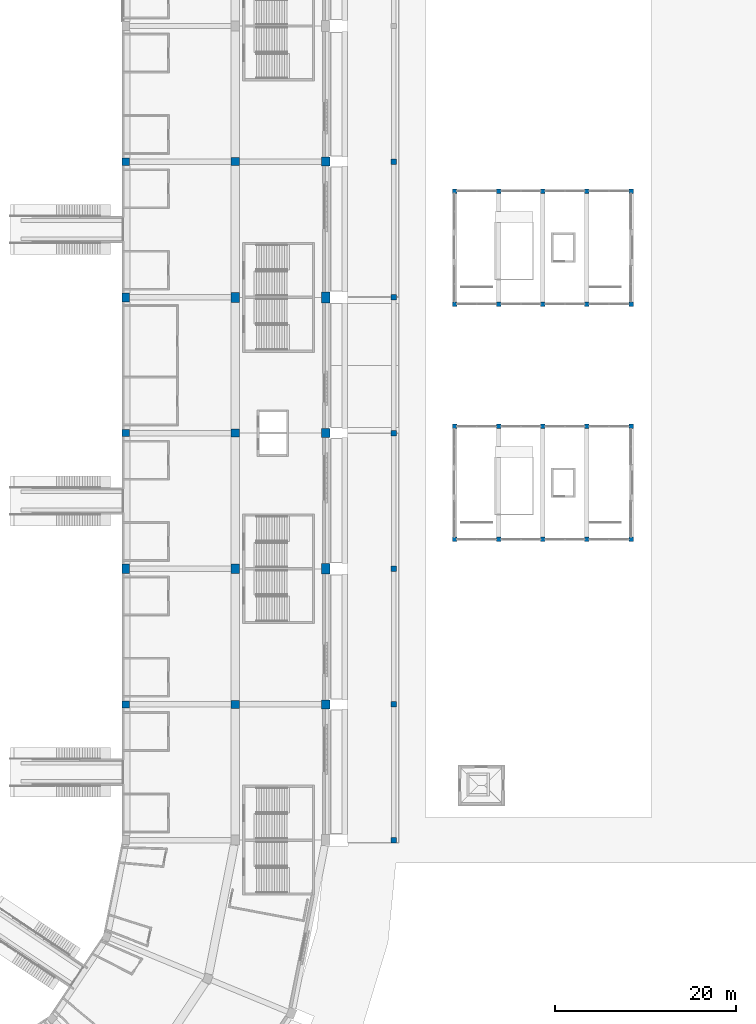
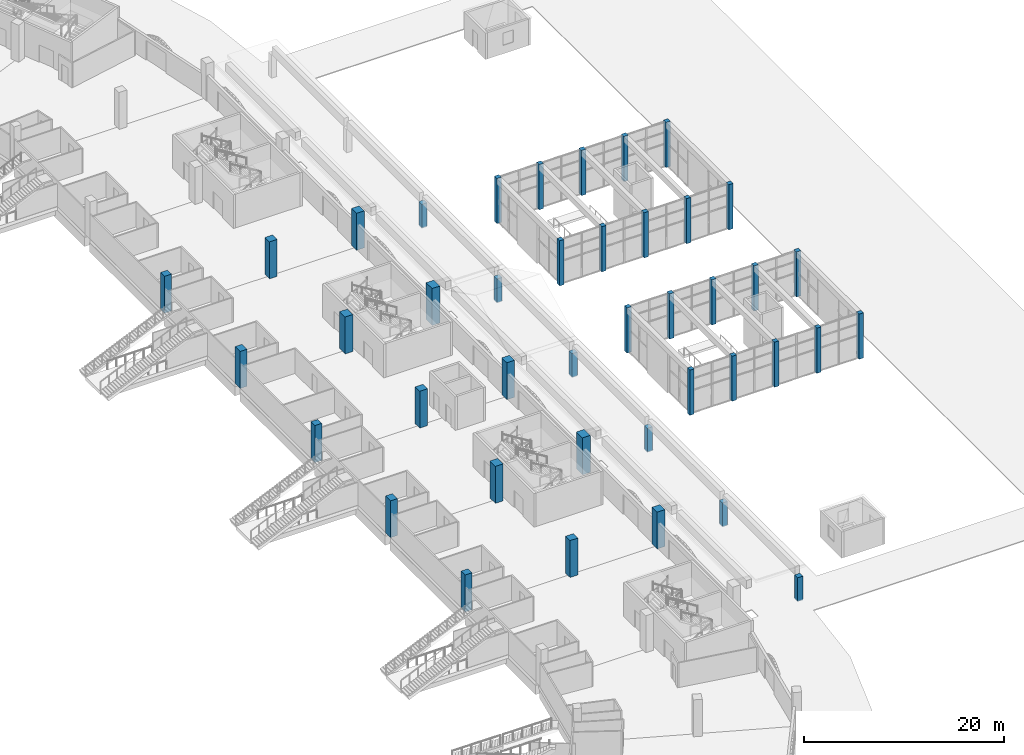
# One storey, part 2 of 175: 41 columns.
"""IFC4 building model written with IfcOpenShell, lengths in metres."""

from ifc_helpers import new_model, si_unit, direction, frame, origin, origin_2d, place, context, subcontext, project, spatial, rectangle, extrude, material, material_profile, profile_set, type_object, element, save


model = new_model("IFC4")

# Units and contexts
model_context = context("Model", 3, precision=1e-05, world=origin(), true_north=direction((0.0, 1.0)))
body_context = subcontext(model_context, "Body", "Model", "MODEL_VIEW")
ifc_project = project(units=[si_unit("LENGTHUNIT", "METRE"), si_unit("AREAUNIT", "SQUARE_METRE"), si_unit("VOLUMEUNIT", "CUBIC_METRE"), si_unit("PLANEANGLEUNIT", "RADIAN"), si_unit("MASSUNIT", "GRAM", prefix="KILO")], contexts=[model_context])

# Site, building, storey
site_placement = place(None, origin())
site = spatial("IfcSite", under=ifc_project, at=site_placement, CompositionType="ELEMENT")
building_placement = place(site_placement, origin())
building = spatial("IfcBuilding", under=site, at=building_placement, Name="Ogive Plaza Stadium", CompositionType="ELEMENT")
storey_placement = place(building_placement, origin())
storey = spatial("IfcBuildingStorey", under=building, at=storey_placement, Name="L00", CompositionType="ELEMENT", Elevation=0.0)

# Columns
ifc_material_1 = material(Name="Concrete C40/50", Category="concrete")
ifc_material_profile_1 = material_profile(ifc_material_1, rectangle(XDim=0.60009765625, YDim=0.60009765625, at=origin_2d()), Name="RC 600x600")
ifc_profile_set_1 = profile_set([ifc_material_profile_1], Name="Concrete C40/50")
column_type_1 = type_object("IfcColumnType", Name="Colonnade column RC 600x600", PredefinedType="COLUMN", material=ifc_profile_set_1)
for number, where, z_axis, x_axis, name in (
    (1, (91.5, 22.5, -0.1201171875), (0.0, 0.0, 1.0), (1.0, 0.0, 0.0), "Colonnade column R03"),
    (2, (91.5, 7.5, -0.1201171875), (0.0, 0.0, 1.0), (1.0, 0.0, 0.0), "Colonnade column R04"),
    (3, (91.5, -7.5, -0.1201171875), (0.0, 0.0, 1.0), (1.0, 0.0, 0.0), "Colonnade column R05"),
    (4, (91.5, -22.5, -0.1201171875), (0.0, 0.0, 1.0), (1.0, 0.0, 0.0), "Colonnade column R06"),
    (5, (91.5, -37.5, -0.1201171875), (0.0, 0.0, 1.0), (1.0, 0.0, 0.0), "Colonnade column R07"),
    (6, (91.5, -52.5, -0.1201171875), (0.0, 0.0, 1.0), (1.0, 0.0, 0.0), "Colonnade column R08"),
):
    element("IfcColumn", number, at=place(storey_placement, frame(where, z_axis=z_axis, x_axis=x_axis)), inside=storey, type_object=column_type_1, Name=name, PredefinedType="COLUMN", context=body_context, shape_type="SweptSolid", body=[
        extrude(rectangle(XDim=0.60009765625, YDim=0.60009765625, at=origin_2d()), origin(), (0.0, 0.0, 1.0), 2.920166015625),
    ])
ifc_material_2 = material(Name="Concrete C40/50", Category="concrete")
ifc_material_profile_2 = material_profile(ifc_material_2, rectangle(XDim=0.5, YDim=0.5, at=origin_2d()), Name="Headhouse column RC 500")
ifc_profile_set_2 = profile_set([ifc_material_profile_2], Name="Concrete C40/50")
column_type_2 = type_object("IfcColumnType", Name="Headhouse column RC 500", PredefinedType="COLUMN", material=ifc_profile_set_2)
for number, where, z_axis, x_axis, name in (
    (7, (98.25, -19.25, 0.0), (0.0, 0.0, 1.0), (1.0, 0.0, 0.0), "Headhouse 1 column 1S"),
    (8, (98.25, -6.75, 0.0), (0.0, 0.0, 1.0), (1.0, 0.0, 0.0), "Headhouse 1 column 1N"),
    (9, (103.125, -19.25, 0.0), (0.0, 0.0, 1.0), (1.0, 0.0, 0.0), "Headhouse 1 column 2S"),
    (10, (103.125, -6.75, 0.0), (0.0, 0.0, 1.0), (1.0, 0.0, 0.0), "Headhouse 1 column 2N"),
    (11, (108.0, -19.25, 0.0), (0.0, 0.0, 1.0), (1.0, 0.0, 0.0), "Headhouse 1 column 3S"),
    (12, (108.0, -6.75, 0.0), (0.0, 0.0, 1.0), (1.0, 0.0, 0.0), "Headhouse 1 column 3N"),
    (13, (112.875, -19.25, 0.0), (0.0, 0.0, 1.0), (1.0, 0.0, 0.0), "Headhouse 1 column 4S"),
    (14, (112.875, -6.75, 0.0), (0.0, 0.0, 1.0), (1.0, 0.0, 0.0), "Headhouse 1 column 4N"),
    (15, (117.75, -19.25, 0.0), (0.0, 0.0, 1.0), (1.0, 0.0, 0.0), "Headhouse 1 column 5S"),
    (16, (117.75, -6.75, 0.0), (0.0, 0.0, 1.0), (1.0, 0.0, 0.0), "Headhouse 1 column 5N"),
    (17, (98.25, 6.75, 0.0), (0.0, 0.0, 1.0), (1.0, 0.0, 0.0), "Headhouse 2 column 1S"),
    (18, (98.25, 19.25, 0.0), (0.0, 0.0, 1.0), (1.0, 0.0, 0.0), "Headhouse 2 column 1N"),
    (19, (103.125, 6.75, 0.0), (0.0, 0.0, 1.0), (1.0, 0.0, 0.0), "Headhouse 2 column 2S"),
    (20, (103.125, 19.25, 0.0), (0.0, 0.0, 1.0), (1.0, 0.0, 0.0), "Headhouse 2 column 2N"),
    (21, (108.0, 6.75, 0.0), (0.0, 0.0, 1.0), (1.0, 0.0, 0.0), "Headhouse 2 column 3S"),
    (22, (108.0, 19.25, 0.0), (0.0, 0.0, 1.0), (1.0, 0.0, 0.0), "Headhouse 2 column 3N"),
    (23, (112.875, 6.75, 0.0), (0.0, 0.0, 1.0), (1.0, 0.0, 0.0), "Headhouse 2 column 4S"),
    (24, (112.875, 19.25, 0.0), (0.0, 0.0, 1.0), (1.0, 0.0, 0.0), "Headhouse 2 column 4N"),
    (25, (117.75, 6.75, 0.0), (0.0, 0.0, 1.0), (1.0, 0.0, 0.0), "Headhouse 2 column 5S"),
    (26, (117.75, 19.25, 0.0), (0.0, 0.0, 1.0), (1.0, 0.0, 0.0), "Headhouse 2 column 5N"),
):
    element("IfcColumn", number, at=place(storey_placement, frame(where, z_axis=z_axis, x_axis=x_axis)), inside=storey, type_object=column_type_2, Name=name, PredefinedType="COLUMN", context=body_context, shape_type="SweptSolid", body=[
        extrude(rectangle(XDim=0.5, YDim=0.5, at=origin_2d()), origin(), (0.0, 0.0, 1.0), 5.5),
    ])
ifc_material_3 = material(Name="Concrete C40/50", Category="concrete")
ifc_material_profile_3 = material_profile(ifc_material_3, rectangle(XDim=1.0, YDim=0.800048828125, at=origin_2d()), Name="RC 1000x800")
ifc_profile_set_3 = profile_set([ifc_material_profile_3], Name="Concrete C40/50")
column_type_3 = type_object("IfcColumnType", Name="RC column F3 core 1000x800", PredefinedType="COLUMN", material=ifc_profile_set_3)
for number, where, z_axis, x_axis, name in (
    (27, (61.89990234375, 7.5, 0.0), (0.0, 0.0, 1.0), (0.0, 1.0, 0.0), "Column F3 R04 L00"),
    (28, (61.89990234375, -22.5, 0.0), (0.0, 0.0, 1.0), (0.0, 1.0, 0.0), "Column F3 R06 L00"),
):
    element("IfcColumn", number, at=place(storey_placement, frame(where, z_axis=z_axis, x_axis=x_axis)), inside=storey, type_object=column_type_3, Name=name, PredefinedType="COLUMN", context=body_context, shape_type="SweptSolid", body=[
        extrude(rectangle(XDim=1.0, YDim=0.800048828125, at=origin_2d()), origin(), (0.0, 0.0, 1.0), 4.5),
    ])
ifc_material_4 = material(Name="Concrete C40/50", Category="concrete")
ifc_material_profile_4 = material_profile(ifc_material_4, rectangle(XDim=0.800048828125, YDim=0.800048828125, at=origin_2d()), Name="RC 800x800")
ifc_profile_set_4 = profile_set([ifc_material_profile_4], Name="Concrete C40/50")
column_type_4 = type_object("IfcColumnType", Name="RC column F3 typical 800x800", PredefinedType="COLUMN", material=ifc_profile_set_4)
for number, where, z_axis, x_axis, name in (
    (29, (61.89990234375, 22.5, 0.0), (0.0, 0.0, 1.0), (0.0, 1.0, 0.0), "Column F3 R03 L00"),
    (30, (61.89990234375, -7.5, 0.0), (0.0, 0.0, 1.0), (0.0, 1.0, 0.0), "Column F3 R05 L00"),
    (31, (61.89990234375, -37.5, 0.0), (0.0, 0.0, 1.0), (0.0, 1.0, 0.0), "Column F3 R07 L00"),
):
    element("IfcColumn", number, at=place(storey_placement, frame(where, z_axis=z_axis, x_axis=x_axis)), inside=storey, type_object=column_type_4, Name=name, PredefinedType="COLUMN", context=body_context, shape_type="SweptSolid", body=[
        extrude(rectangle(XDim=0.800048828125, YDim=0.800048828125, at=origin_2d()), origin(), (0.0, 0.0, 1.0), 4.5),
    ])
ifc_material_5 = material(Name="Concrete C40/50", Category="concrete")
ifc_material_profile_5 = material_profile(ifc_material_5, rectangle(XDim=1.10009765625, YDim=0.89990234375, at=origin_2d()), Name="RC 1100x900")
ifc_profile_set_5 = profile_set([ifc_material_profile_5], Name="Concrete C40/50")
column_type_5 = type_object("IfcColumnType", Name="RC column F4 core 1100x900", PredefinedType="COLUMN", material=ifc_profile_set_5)
for number, where, z_axis, x_axis, name in (
    (32, (74.0, 7.5, 0.0), (0.0, 0.0, 1.0), (0.0, 1.0, 0.0), "Column F4 R04 L00"),
    (33, (74.0, -22.5, 0.0), (0.0, 0.0, 1.0), (0.0, 1.0, 0.0), "Column F4 R06 L00"),
):
    element("IfcColumn", number, at=place(storey_placement, frame(where, z_axis=z_axis, x_axis=x_axis)), inside=storey, type_object=column_type_5, Name=name, PredefinedType="COLUMN", context=body_context, shape_type="SweptSolid", body=[
        extrude(rectangle(XDim=1.10009765625, YDim=0.89990234375, at=origin_2d()), origin(), (0.0, 0.0, 1.0), 4.5),
    ])
ifc_material_6 = material(Name="Concrete C40/50", Category="concrete")
ifc_material_profile_6 = material_profile(ifc_material_6, rectangle(XDim=0.89990234375, YDim=0.89990234375, at=origin_2d()), Name="RC 900x900")
ifc_profile_set_6 = profile_set([ifc_material_profile_6], Name="Concrete C40/50")
column_type_6 = type_object("IfcColumnType", Name="RC column F4 typical 900x900", PredefinedType="COLUMN", material=ifc_profile_set_6)
for number, where, z_axis, x_axis, name in (
    (34, (74.0, 22.5, 0.0), (0.0, 0.0, 1.0), (0.0, 1.0, 0.0), "Column F4 R03 L00"),
    (35, (74.0, -7.5, 0.0), (0.0, 0.0, 1.0), (0.0, 1.0, 0.0), "Column F4 R05 L00"),
    (36, (74.0, -37.5, 0.0), (0.0, 0.0, 1.0), (0.0, 1.0, 0.0), "Column F4 R07 L00"),
):
    element("IfcColumn", number, at=place(storey_placement, frame(where, z_axis=z_axis, x_axis=x_axis)), inside=storey, type_object=column_type_6, Name=name, PredefinedType="COLUMN", context=body_context, shape_type="SweptSolid", body=[
        extrude(rectangle(XDim=0.89990234375, YDim=0.89990234375, at=origin_2d()), origin(), (0.0, 0.0, 1.0), 4.5),
    ])
ifc_material_7 = material(Name="Concrete C40/50", Category="concrete")
ifc_material_profile_7 = material_profile(ifc_material_7, rectangle(XDim=1.199951171875, YDim=0.89990234375, at=origin_2d()), Name="RC 1200x900")
ifc_profile_set_7 = profile_set([ifc_material_profile_7], Name="Concrete C40/50")
column_type_7 = type_object("IfcColumnType", Name="RC column F5 core 1200x900", PredefinedType="COLUMN", material=ifc_profile_set_7)
for number, where, z_axis, x_axis, name in (
    (37, (84.0, 7.5, 0.0), (0.0, 0.0, 1.0), (0.0, 1.0, 0.0), "Column F5 R04 L00"),
    (38, (84.0, -22.5, 0.0), (0.0, 0.0, 1.0), (0.0, 1.0, 0.0), "Column F5 R06 L00"),
):
    element("IfcColumn", number, at=place(storey_placement, frame(where, z_axis=z_axis, x_axis=x_axis)), inside=storey, type_object=column_type_7, Name=name, PredefinedType="COLUMN", context=body_context, shape_type="SweptSolid", body=[
        extrude(rectangle(XDim=1.199951171875, YDim=0.89990234375, at=origin_2d()), origin(), (0.0, 0.0, 1.0), 4.5),
    ])
ifc_material_8 = material(Name="Concrete C40/50", Category="concrete")
ifc_material_profile_8 = material_profile(ifc_material_8, rectangle(XDim=1.0, YDim=0.89990234375, at=origin_2d()), Name="RC 1000x900")
ifc_profile_set_8 = profile_set([ifc_material_profile_8], Name="Concrete C40/50")
column_type_8 = type_object("IfcColumnType", Name="RC column F5 typical 1000x900", PredefinedType="COLUMN", material=ifc_profile_set_8)
for number, where, z_axis, x_axis, name in (
    (39, (84.0, 22.5, 0.0), (0.0, 0.0, 1.0), (0.0, 1.0, 0.0), "Column F5 R03 L00"),
    (40, (84.0, -7.5, 0.0), (0.0, 0.0, 1.0), (0.0, 1.0, 0.0), "Column F5 R05 L00"),
    (41, (84.0, -37.5, 0.0), (0.0, 0.0, 1.0), (0.0, 1.0, 0.0), "Column F5 R07 L00"),
):
    element("IfcColumn", number, at=place(storey_placement, frame(where, z_axis=z_axis, x_axis=x_axis)), inside=storey, type_object=column_type_8, Name=name, PredefinedType="COLUMN", context=body_context, shape_type="SweptSolid", body=[
        extrude(rectangle(XDim=1.0, YDim=0.89990234375, at=origin_2d()), origin(), (0.0, 0.0, 1.0), 4.5),
    ])

save(model, "model.ifc")
